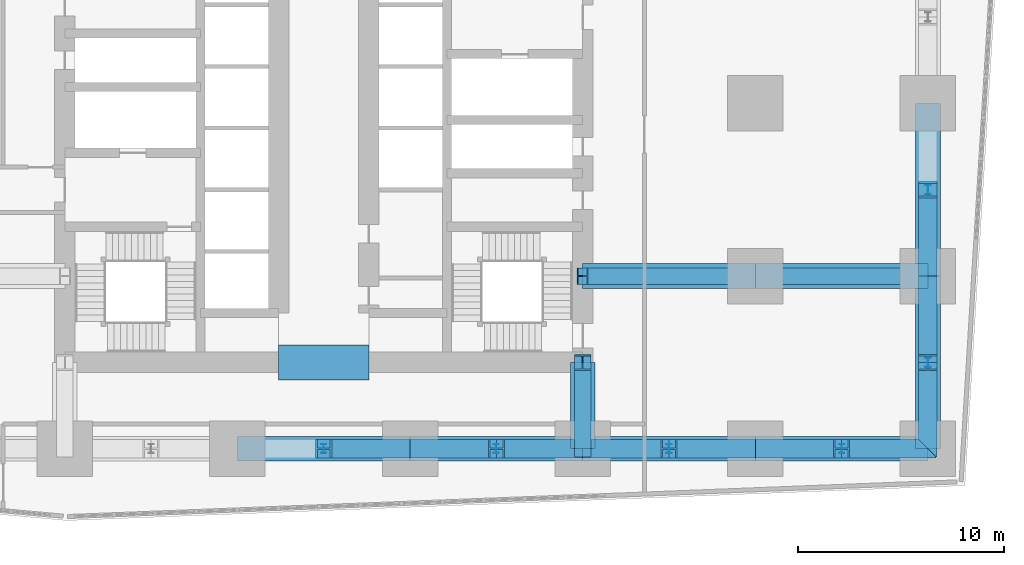
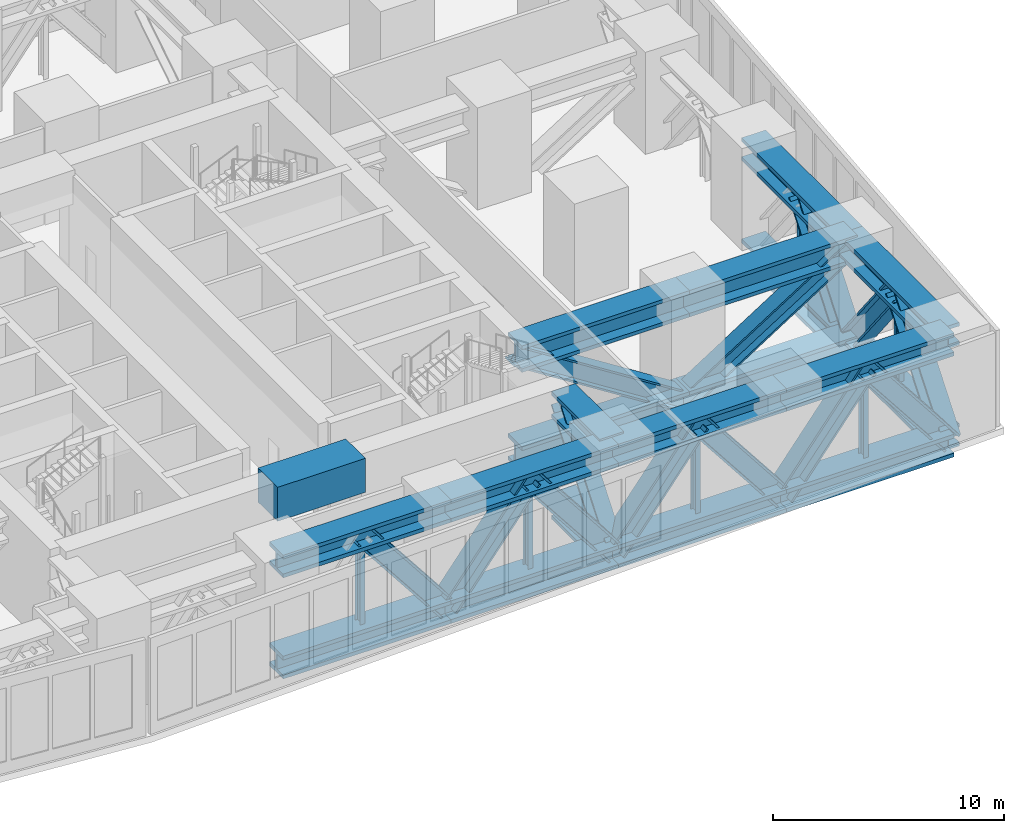
# One storey, part 4 of 16: 37 members, 1 beam.
"""IFC4 building model written with IfcOpenShell, lengths in metres."""

import ifcopenshell
import ifcopenshell.guid

model = None  # the IFC model being written
_history = None  # IfcOwnerHistory: only IFC2X3 demands one
_inside = {}  # id of a spatial element -> (the spatial element, [elements in it])
_under = {}  # id of a project, library or spatial element -> (it, [spatial elements below it])
_declared = {}  # id of a project -> (the project, [libraries it declares])
_typed = {}  # id of a type object -> (the type object, [elements of that type])
_made_of = {}  # id of a material, layer set ... -> (it, [elements and type objects made of it])


def new_model(schema):
    """Start an empty IFC model of exactly this schema.

    Asked for "IFC4X3", IfcOpenShell would pick the latest addendum, in which some entities
    have other attributes; the version numbers below select the first issue.
    IFC2X3 requires an IfcOwnerHistory on every rooted entity: one is made here for all.
    """
    global model, _history
    if schema == "IFC4X3":
        model = ifcopenshell.file(schema_version=(4, 3, 0, 0))
    else:
        model = ifcopenshell.file(schema=schema)
    _inside.clear()
    _under.clear()
    _declared.clear()
    _typed.clear()
    _made_of.clear()
    _history = None
    if model.schema == "IFC2X3":
        org = make("IfcOrganization", Name="unknown")
        user = make(
            "IfcPersonAndOrganization",
            ThePerson=make("IfcPerson", FamilyName="unknown"),
            TheOrganization=org,
        )
        app = make(
            "IfcApplication",
            ApplicationDeveloper=org,
            Version="unknown",
            ApplicationFullName="unknown",
            ApplicationIdentifier="unknown",
        )
        _history = make(
            "IfcOwnerHistory",
            OwningUser=user,
            OwningApplication=app,
            ChangeAction="ADDED",
            CreationDate=0,
        )
    return model


def make(cls, **values):
    """One entity of the class cls with the attributes given. An attribute that is None is left unset."""
    return model.create_entity(
        cls, **{name: value for name, value in values.items() if value is not None}
    )


def rooted(cls, **values):
    """An entity with a GlobalId (a new one), such as an element, a storey or a relation."""
    return make(cls, GlobalId=ifcopenshell.guid.new(), OwnerHistory=_history, **values)


def si_unit(unit_type, name, prefix=None):
    """IfcSIUnit, for example si_unit("LENGTHUNIT", "METRE", prefix="MILLI")."""
    return make("IfcSIUnit", UnitType=unit_type, Prefix=prefix, Name=name)


def assignment(units):
    """IfcUnitAssignment: the units of a project."""
    return None if units is None else make("IfcUnitAssignment", Units=units)


def point(xyz):
    """IfcCartesianPoint."""
    return None if xyz is None else make("IfcCartesianPoint", Coordinates=xyz)


def direction(xyz):
    """IfcDirection."""
    return None if xyz is None else make("IfcDirection", DirectionRatios=xyz)


def frame(location, z_axis=None, x_axis=None):
    """IfcAxis2Placement3D, a coordinate frame: its origin and axes. An axis left out is left unset."""
    return make(
        "IfcAxis2Placement3D",
        Location=point(location),
        Axis=direction(z_axis),
        RefDirection=direction(x_axis),
    )


def frame_2d(location, x_axis=None):
    """IfcAxis2Placement2D, a coordinate frame in the plane: its origin and x axis."""
    return make(
        "IfcAxis2Placement2D", Location=point(location), RefDirection=direction(x_axis)
    )


def origin():
    """The frame at (0, 0, 0) with its axes left unset."""
    return frame((0.0, 0.0, 0.0))


def origin_2d():
    """The frame at (0, 0) in the plane with its x axis left unset."""
    return frame_2d((0.0, 0.0))


def place(relative_to, where):
    """IfcLocalPlacement: puts the frame where relative to a parent placement (None: the world)."""
    return make(
        "IfcLocalPlacement", PlacementRelTo=relative_to, RelativePlacement=where
    )


def context(
    kind, dimensions, precision=None, world=None, true_north=None, identifier=None
):
    """IfcGeometricRepresentationContext, for example the 3D "Model" context."""
    return make(
        "IfcGeometricRepresentationContext",
        ContextIdentifier=identifier,
        ContextType=kind,
        CoordinateSpaceDimension=dimensions,
        Precision=precision,
        WorldCoordinateSystem=world,
        TrueNorth=true_north,
    )


def subcontext(parent, identifier, kind, view, scale=None):
    """IfcGeometricRepresentationSubContext, for example "Body" below "Model"."""
    return make(
        "IfcGeometricRepresentationSubContext",
        ContextIdentifier=identifier,
        ContextType=kind,
        ParentContext=parent,
        TargetScale=scale,
        TargetView=view,
    )


def project(units=None, contexts=None):
    """IfcProject with its units and contexts."""
    return rooted(
        "IfcProject",
        Name="project",
        RepresentationContexts=contexts,
        UnitsInContext=assignment(units),
    )


def spatial(cls, under=None, at=None, **own):
    """A site, building, storey or space (cls), placed at a placement, below another one or the project."""
    s = rooted(cls, ObjectPlacement=at, **own)
    if under is not None:
        _under.setdefault(under.id(), (under, []))[1].append(s)
    return s


def profile(cls, at=None, kind="AREA", **sizes):
    """A parametric profile (cls). Its sizes go by their IFC names, for example OverallWidth=200.0."""
    return make(cls, ProfileType=kind, Position=at, **sizes)


def rectangle(**sizes):
    """IfcRectangleProfileDef."""
    return profile("IfcRectangleProfileDef", **sizes)


def i_section(**sizes):
    """IfcIShapeProfileDef."""
    return profile("IfcIShapeProfileDef", **sizes)


def extrude(swept, where, along, depth):
    """IfcExtrudedAreaSolid: the profile swept, set in the frame where, extruded along a direction by depth."""
    return make(
        "IfcExtrudedAreaSolid",
        SweptArea=swept,
        Position=where,
        ExtrudedDirection=direction(along),
        Depth=depth,
    )


def shape(context_of_items, identifier, shape_type, items):
    """IfcShapeRepresentation: the items that make up one representation, for example the "Body"."""
    return make(
        "IfcShapeRepresentation",
        ContextOfItems=context_of_items,
        RepresentationIdentifier=identifier,
        RepresentationType=shape_type,
        Items=items,
    )


def material(Name=None, Category=None):
    """IfcMaterial."""
    return make("IfcMaterial", Name=Name, Category=Category)


def material_profile(
    of_material, cross_section, Name=None, Category=None, Priority=None
):
    """IfcMaterialProfile: a cross section and its material."""
    return make(
        "IfcMaterialProfile",
        Name=Name,
        Material=of_material,
        Profile=cross_section,
        Priority=Priority,
        Category=Category,
    )


def profile_set(profiles, Name=None, composite=None):
    """IfcMaterialProfileSet."""
    return make(
        "IfcMaterialProfileSet",
        Name=Name,
        MaterialProfiles=profiles,
        CompositeProfile=composite,
    )


def made_of(thing, what):
    """Note that an element or type object is made of a material, layer set ...; save() writes the relation."""
    if what is not None:
        _made_of.setdefault(what.id(), (what, []))[1].append(thing)
    return thing


def type_object(cls, material=None, **own):
    """A type object (cls), such as IfcWallType, which elements share."""
    return made_of(rooted(cls, **own), material)


def element(
    cls,
    number,
    at=None,
    inside=None,
    cuts=None,
    type_object=None,
    material=None,
    context=None,
    identifier="Body",
    shape_type=None,
    held_by="IfcProductDefinitionShape",
    body=None,
    shapes=None,
    **own,
):
    """One element of the class cls, such as IfcWall. Its Tag is "e" and its number.

    at: its placement. inside: the storey or other place that contains it. cuts: it is an
    opening in that element (IfcRelVoidsElement). A single representation is given by context,
    identifier, shape_type and body (its items); several are given by shapes. held_by: the class
    of the entity that holds the representations. save() writes the other relations.
    """
    e = rooted(cls, Tag="e%d" % number, ObjectPlacement=at, **own)
    if body is not None:
        shapes = [shape(context, identifier, shape_type, body)]
    if shapes is not None:
        e.Representation = make(held_by, Representations=shapes)
    if inside is not None:
        _inside.setdefault(inside.id(), (inside, []))[1].append(e)
    if cuts is not None:
        rooted(
            "IfcRelVoidsElement", RelatingBuildingElement=cuts, RelatedOpeningElement=e
        )
    if type_object is not None:
        _typed.setdefault(type_object.id(), (type_object, []))[1].append(e)
    return made_of(e, material)


def aggregate(whole, parts):
    """IfcRelAggregates: a whole, such as a stair, and the parts it consists of."""
    return rooted("IfcRelAggregates", RelatingObject=whole, RelatedObjects=parts)


def save(model, path):
    """Write the relations noted so far, then the file.

    IfcRelAggregates (storeys below a building ...), IfcRelContainedInSpatialStructure (elements
    in a storey), IfcRelDefinesByType, IfcRelAssociatesMaterial and IfcRelDeclares: one each for
    every whole, place, type object, material and project.
    """
    for whole, parts in _under.values():
        aggregate(whole, parts)
    for where, things in _inside.values():
        rooted(
            "IfcRelContainedInSpatialStructure",
            RelatedElements=things,
            RelatingStructure=where,
        )
    for kind, things in _typed.values():
        rooted("IfcRelDefinesByType", RelatedObjects=things, RelatingType=kind)
    for what, things in _made_of.values():
        rooted("IfcRelAssociatesMaterial", RelatedObjects=things, RelatingMaterial=what)
    for by, libraries in _declared.values():
        rooted("IfcRelDeclares", RelatingContext=by, RelatedDefinitions=libraries)
    model.write(path)


model = new_model("IFC4")

# Units and contexts
model_context = context("Model", 3, precision=1e-05, world=origin(), true_north=direction((0.0, 1.0)))
body_context = subcontext(model_context, "Body", "Model", "MODEL_VIEW")
ifc_project = project(units=[si_unit("LENGTHUNIT", "METRE"), si_unit("AREAUNIT", "SQUARE_METRE"), si_unit("VOLUMEUNIT", "CUBIC_METRE"), si_unit("PLANEANGLEUNIT", "RADIAN"), si_unit("MASSUNIT", "GRAM", prefix="KILO")], contexts=[model_context])

# Site, building, storey
site_placement = place(None, origin())
site = spatial("IfcSite", under=ifc_project, at=site_placement, CompositionType="ELEMENT")
building_placement = place(site_placement, origin())
building = spatial("IfcBuilding", under=site, at=building_placement, Name="Rekha Terrace Tower", CompositionType="ELEMENT")
storey_placement = place(building_placement, frame((0.0, 0.0, 162.800048828125)))
storey = spatial("IfcBuildingStorey", under=building, at=storey_placement, Name="L41", CompositionType="ELEMENT", Elevation=162.800048828125)

# Members
ifc_material_1 = material(Name="Steel E350", Category="steel")
ifc_material_profile_1 = material_profile(ifc_material_1, i_section(OverallWidth=1.199951171875, OverallDepth=1.199951171875, WebThickness=0.1298828125, FlangeThickness=0.199951171875, at=origin_2d()), Name="BU 1200x1200x130x200")
ifc_profile_set_1 = profile_set([ifc_material_profile_1], Name="Steel E350")
member_type_1 = type_object("IfcMemberType", Name="BC41 BU 1200x1200x130x200 belt truss chord", PredefinedType="CHORD", material=ifc_profile_set_1)
for number, where, z_axis, x_axis, name in (
    (1, (33.60009765625, 16.800048828125, 4.300048828125), (1.0, 0.0, 0.0), (0.0, 1.0, 0.0), "Belt top chord 5C-6C L41"),
    (2, (33.60009765625, 16.800048828125, -1.050048828125), (1.0, 0.0, 0.0), (0.0, 1.0, 0.0), "Belt bottom chord 5C-6C L41"),
    (3, (42.0, 16.800048828125, 4.300048828125), (1.0, 0.0, 0.0), (0.0, 1.0, 0.0), "Belt top chord 6C-7C L41"),
    (4, (42.0, 16.800048828125, -1.050048828125), (1.0, 0.0, 0.0), (0.0, 1.0, 0.0), "Belt bottom chord 6C-7C L41"),
):
    element("IfcMember", number, at=place(storey_placement, frame(where, z_axis=z_axis, x_axis=x_axis)), inside=storey, type_object=member_type_1, Name=name, PredefinedType="CHORD", context=body_context, shape_type="SweptSolid", body=[
        extrude(i_section(OverallWidth=1.199951171875, OverallDepth=1.199951171875, WebThickness=0.1298828125, FlangeThickness=0.199951171875, at=origin_2d()), origin(), (0.0, 0.0, 1.0), 8.39990234375),
    ])
for number, where, z_axis, x_axis, name in (
    (5, (50.39990234375, 16.800048828125, 4.300048828125), (1.0, 0.0, 0.0), (0.0, 1.0, 0.0), "Belt top chord 7C-8C L41"),
    (6, (50.39990234375, 16.800048828125, -1.050048828125), (1.0, 0.0, 0.0), (0.0, 1.0, 0.0), "Belt bottom chord 7C-8C L41"),
):
    element("IfcMember", number, at=place(storey_placement, frame(where, z_axis=z_axis, x_axis=x_axis)), inside=storey, type_object=member_type_1, Name=name, PredefinedType="CHORD", context=body_context, shape_type="SweptSolid", body=[
        extrude(i_section(OverallWidth=1.199951171875, OverallDepth=1.199951171875, WebThickness=0.1298828125, FlangeThickness=0.199951171875, at=origin_2d()), origin(), (0.0, 0.0, 1.0), 8.400146484375),
    ])
for number, where, z_axis, x_axis, name in (
    (7, (58.800048828125, 16.800048828125, 4.300048828125), (1.0, 0.0, 0.0), (0.0, 1.0, 0.0), "Belt top chord 8C-9C L41"),
    (8, (58.800048828125, 16.800048828125, -1.050048828125), (1.0, 0.0, 0.0), (0.0, 1.0, 0.0), "Belt bottom chord 8C-9C L41"),
    (9, (67.199951171875, 16.800048828125, 4.300048828125), (0.0, 1.0, 0.0), (-1.0, 0.0, 0.0), "Belt top chord 9C-9D L41"),
    (10, (67.199951171875, 16.800048828125, -1.050048828125), (0.0, 1.0, 0.0), (-1.0, 0.0, 0.0), "Belt bottom chord 9C-9D L41"),
):
    element("IfcMember", number, at=place(storey_placement, frame(where, z_axis=z_axis, x_axis=x_axis)), inside=storey, type_object=member_type_1, Name=name, PredefinedType="CHORD", context=body_context, shape_type="SweptSolid", body=[
        extrude(i_section(OverallWidth=1.199951171875, OverallDepth=1.199951171875, WebThickness=0.1298828125, FlangeThickness=0.199951171875, at=origin_2d()), origin(), (0.0, 0.0, 1.0), 8.39990234375),
    ])
for number, where, z_axis, x_axis, name in (
    (11, (67.199951171875, 25.199951171875, 4.300048828125), (0.0, 1.0, 0.0), (-1.0, 0.0, 0.0), "Belt top chord 9D-9E L41"),
    (12, (67.199951171875, 25.199951171875, -1.050048828125), (0.0, 1.0, 0.0), (-1.0, 0.0, 0.0), "Belt bottom chord 9D-9E L41"),
):
    element("IfcMember", number, at=place(storey_placement, frame(where, z_axis=z_axis, x_axis=x_axis)), inside=storey, type_object=member_type_1, Name=name, PredefinedType="CHORD", context=body_context, shape_type="SweptSolid", body=[
        extrude(i_section(OverallWidth=1.199951171875, OverallDepth=1.199951171875, WebThickness=0.1298828125, FlangeThickness=0.199951171875, at=origin_2d()), origin(), (0.0, 0.0, 1.0), 8.400146484375),
    ])
ifc_material_profile_2 = material_profile(ifc_material_1, i_section(OverallWidth=0.89990234375, OverallDepth=1.0, WebThickness=0.06005859375, FlangeThickness=0.10009765625, at=origin_2d()), Name="BU 1000x900x60x100")
ifc_profile_set_2 = profile_set([ifc_material_profile_2], Name="Steel E350")
member_type_2 = type_object("IfcMemberType", Name="BD41 BU 1000x900x60x100 belt truss diagonal", PredefinedType="BRACE", material=ifc_profile_set_2)
for number, where, z_axis, x_axis, name in (
    (13, (42.0, 16.800048828125, -1.050048828125), (-0.617485427507, 0.0, 0.786582320432), (0.0, -1.0, 0.0), "Belt diagonal 5C-6C L41"),
    (14, (42.0, 16.800048828125, -1.050048828125), (0.617485427507, 0.0, 0.786582320432), (0.0, 1.0, 0.0), "Belt diagonal 6C-7C L41"),
    (15, (50.39990234375, 16.800048828125, -1.050048828125), (-0.617485427507, 0.0, 0.786582320432), (0.0, -1.0, 0.0), "Belt diagonal 6C-7C L41"),
    (16, (50.39990234375, 16.800048828125, -1.050048828125), (0.617507634842, 0.0, 0.78656488665), (0.0, 1.0, 0.0), "Belt diagonal 7C-8C L41"),
    (17, (58.800048828125, 16.800048828125, -1.050048828125), (-0.617485427507, 0.0, 0.786582320432), (0.0, -1.0, 0.0), "Belt diagonal 7C-8C L41"),
    (18, (58.800048828125, 16.800048828125, -1.050048828125), (0.617485427507, 0.0, 0.786582320432), (0.0, 1.0, 0.0), "Belt diagonal 8C-9C L41"),
    (19, (67.199951171875, 16.800048828125, -1.050048828125), (-0.617485427507, 0.0, 0.786582320432), (0.0, -1.0, 0.0), "Belt diagonal 8C-9C L41"),
    (20, (67.199951171875, 16.800048828125, -1.050048828125), (0.0, 0.617485427507, 0.786582320432), (-1.0, 0.0, 0.0), "Belt diagonal 9C-9D L41"),
    (21, (67.199951171875, 25.199951171875, -1.050048828125), (0.0, -0.617485427507, 0.786582320432), (1.0, 0.0, 0.0), "Belt diagonal 9C-9D L41"),
    (22, (67.199951171875, 25.199951171875, -1.050048828125), (0.0, 0.617485427507, 0.786582320432), (-1.0, 0.0, 0.0), "Belt diagonal 9D-9E L41"),
):
    element("IfcMember", number, at=place(storey_placement, frame(where, z_axis=z_axis, x_axis=x_axis)), inside=storey, type_object=member_type_2, Name=name, PredefinedType="BRACE", context=body_context, shape_type="SweptSolid", body=[
        extrude(i_section(OverallWidth=0.89990234375, OverallDepth=1.0, WebThickness=0.06005859375, FlangeThickness=0.10009765625, at=origin_2d()), origin(), (0.0, 0.0, 1.0), 6.8017578125),
    ])
ifc_material_profile_3 = material_profile(ifc_material_1, i_section(OverallWidth=0.25, OverallDepth=0.449951171875, WebThickness=0.01123046875, FlangeThickness=0.017333984375, FilletRadius=0.014892578125, at=origin_2d()), Name="ISHB 450")
ifc_profile_set_3 = profile_set([ifc_material_profile_3], Name="Steel E350")
member_type_3 = type_object("IfcMemberType", Name="BV41 ISHB 450 belt truss post", PredefinedType="POST", material=ifc_profile_set_3)
for number, where, z_axis, x_axis, name in (
    (23, (37.800048828125, 16.800048828125, -0.449951171875), (0.0, 0.0, 1.0), (1.0, 0.0, 0.0), "Belt post 5C-6C L41"),
    (24, (46.199951171875, 16.800048828125, -0.449951171875), (0.0, 0.0, 1.0), (1.0, 0.0, 0.0), "Belt post 6C-7C L41"),
    (25, (54.60009765625, 16.800048828125, -0.449951171875), (0.0, 0.0, 1.0), (1.0, 0.0, 0.0), "Belt post 7C-8C L41"),
    (26, (63.0, 16.800048828125, -0.449951171875), (0.0, 0.0, 1.0), (1.0, 0.0, 0.0), "Belt post 8C-9C L41"),
    (27, (67.199951171875, 21.0, -0.449951171875), (0.0, 0.0, 1.0), (1.0, 0.0, 0.0), "Belt post 9C-9D L41"),
    (28, (67.199951171875, 29.39990234375, -0.449951171875), (0.0, 0.0, 1.0), (1.0, 0.0, 0.0), "Belt post 9D-9E L41"),
):
    element("IfcMember", number, at=place(storey_placement, frame(where, z_axis=z_axis, x_axis=x_axis)), inside=storey, type_object=member_type_3, Name=name, PredefinedType="POST", context=body_context, shape_type="SweptSolid", body=[
        extrude(i_section(OverallWidth=0.25, OverallDepth=0.449951171875, WebThickness=0.01123046875, FlangeThickness=0.017333984375, FilletRadius=0.014892578125, at=origin_2d()), origin(), (0.0, 0.0, 1.0), 4.14990234375),
    ])

# Beam
ifc_material_2 = material(Name="Concrete M60", Category="concrete")
ifc_material_profile_4 = material_profile(ifc_material_2, rectangle(XDim=1.699951171875, YDim=1.800048828125, at=origin_2d()), Name="RC 1700x1800")
ifc_profile_set_4 = profile_set([ifc_material_profile_4], Name="Concrete M60")
beam_type = type_object("IfcBeamType", Name="LB3B 1700x1800 diagonally reinforced coupling beam", PredefinedType="LINTEL", material=ifc_profile_set_4)
beam_placement = place(storey_placement, frame((35.60009765625, 21.0, 4.5), z_axis=(1.0, 0.0, 0.0), x_axis=(0.0, 1.0, 0.0)))
element("IfcBeam", 29, at=beam_placement, inside=storey, type_object=beam_type, Name="Coupling beam LB3B S L41", PredefinedType="LINTEL", context=body_context, shape_type="SweptSolid", body=[
    extrude(rectangle(XDim=1.699951171875, YDim=1.800048828125, at=origin_2d()), origin(), (0.0, 0.0, 1.0), 4.39990234375),
])

# Members
ifc_material_profile_5 = material_profile(ifc_material_1, i_section(OverallWidth=1.199951171875, OverallDepth=1.39990234375, WebThickness=0.139892578125, FlangeThickness=0.18994140625, at=origin_2d()), Name="BU 1400x1200x140x190")
ifc_profile_set_5 = profile_set([ifc_material_profile_5], Name="Steel E350")
member_type_4 = type_object("IfcMemberType", Name="OC41 BU 1400x1200x140x190 outrigger chord", PredefinedType="CHORD", material=ifc_profile_set_5)
for number, where, z_axis, x_axis, name in (
    (30, (50.39990234375, 25.199951171875, 4.300048828125), (1.0, 0.0, 0.0), (0.0, 1.0, 0.0), "Outrigger top chord ED-1 L41"),
    (31, (50.39990234375, 25.199951171875, -1.050048828125), (1.0, 0.0, 0.0), (0.0, 1.0, 0.0), "Outrigger bottom chord ED-1 L41"),
):
    element("IfcMember", number, at=place(storey_placement, frame(where, z_axis=z_axis, x_axis=x_axis)), inside=storey, type_object=member_type_4, Name=name, PredefinedType="CHORD", context=body_context, shape_type="SweptSolid", body=[
        extrude(i_section(OverallWidth=1.199951171875, OverallDepth=1.39990234375, WebThickness=0.139892578125, FlangeThickness=0.18994140625, at=origin_2d()), origin(), (0.0, 0.0, 1.0), 8.400146484375),
    ])
for number, where, z_axis, x_axis, name in (
    (32, (58.800048828125, 25.199951171875, 4.300048828125), (1.0, 0.0, 0.0), (0.0, 1.0, 0.0), "Outrigger top chord ED-2 L41"),
    (33, (58.800048828125, 25.199951171875, -1.050048828125), (1.0, 0.0, 0.0), (0.0, 1.0, 0.0), "Outrigger bottom chord ED-2 L41"),
):
    element("IfcMember", number, at=place(storey_placement, frame(where, z_axis=z_axis, x_axis=x_axis)), inside=storey, type_object=member_type_4, Name=name, PredefinedType="CHORD", context=body_context, shape_type="SweptSolid", body=[
        extrude(i_section(OverallWidth=1.199951171875, OverallDepth=1.39990234375, WebThickness=0.139892578125, FlangeThickness=0.18994140625, at=origin_2d()), origin(), (0.0, 0.0, 1.0), 8.39990234375),
    ])
for number, where, z_axis, x_axis, name in (
    (34, (50.39990234375, 21.0, 4.300048828125), (0.0, -1.0, 0.0), (1.0, 0.0, 0.0), "Outrigger top chord S7-1 L41"),
    (35, (50.39990234375, 21.0, -1.050048828125), (0.0, -1.0, 0.0), (1.0, 0.0, 0.0), "Outrigger bottom chord S7-1 L41"),
):
    element("IfcMember", number, at=place(storey_placement, frame(where, z_axis=z_axis, x_axis=x_axis)), inside=storey, type_object=member_type_4, Name=name, PredefinedType="CHORD", context=body_context, shape_type="SweptSolid", body=[
        extrude(i_section(OverallWidth=1.199951171875, OverallDepth=1.39990234375, WebThickness=0.139892578125, FlangeThickness=0.18994140625, at=origin_2d()), origin(), (0.0, 0.0, 1.0), 4.199951171875),
    ])
ifc_material_profile_6 = material_profile(ifc_material_1, i_section(OverallWidth=0.800048828125, OverallDepth=1.0, WebThickness=0.050048828125, FlangeThickness=0.090087890625, at=origin_2d()), Name="BU 1000x800x50x90")
ifc_profile_set_6 = profile_set([ifc_material_profile_6], Name="Steel E350")
member_type_5 = type_object("IfcMemberType", Name="OD41 BU 1000x800x50x90 outrigger diagonal", PredefinedType="BRACE", material=ifc_profile_set_6)
member_1_placement = place(storey_placement, frame((50.39990234375, 25.199951171875, 4.300048828125), z_axis=(0.843454497748, 0.0, -0.537200623816), x_axis=(0.0, 1.0, 0.0)))
element("IfcMember", 36, at=member_1_placement, inside=storey, type_object=member_type_5, Name="Outrigger diagonal ED-1 L41", PredefinedType="BRACE", context=body_context, shape_type="SweptSolid", body=[
    extrude(i_section(OverallWidth=0.800048828125, OverallDepth=1.0, WebThickness=0.050048828125, FlangeThickness=0.090087890625, at=origin_2d()), origin(), (0.0, 0.0, 1.0), 9.959228515625),
])
member_2_placement = place(storey_placement, frame((58.800048828125, 25.199951171875, -1.050048828125), z_axis=(0.843447423157, 0.0, 0.537211731415), x_axis=(0.0, 1.0, 0.0)))
element("IfcMember", 37, at=member_2_placement, inside=storey, type_object=member_type_5, Name="Outrigger diagonal ED-2 L41", PredefinedType="BRACE", context=body_context, shape_type="SweptSolid", body=[
    extrude(i_section(OverallWidth=0.800048828125, OverallDepth=1.0, WebThickness=0.050048828125, FlangeThickness=0.090087890625, at=origin_2d()), origin(), (0.0, 0.0, 1.0), 9.958984375),
])
member_3_placement = place(storey_placement, frame((50.39990234375, 21.0, 4.300048828125), z_axis=(0.0, -0.617485427507, -0.786582320432), x_axis=(1.0, 0.0, 0.0)))
element("IfcMember", 38, at=member_3_placement, inside=storey, type_object=member_type_5, Name="Outrigger diagonal S7-1 L41", PredefinedType="BRACE", context=body_context, shape_type="SweptSolid", body=[
    extrude(i_section(OverallWidth=0.800048828125, OverallDepth=1.0, WebThickness=0.050048828125, FlangeThickness=0.090087890625, at=origin_2d()), origin(), (0.0, 0.0, 1.0), 6.8017578125),
])

save(model, "model.ifc")
